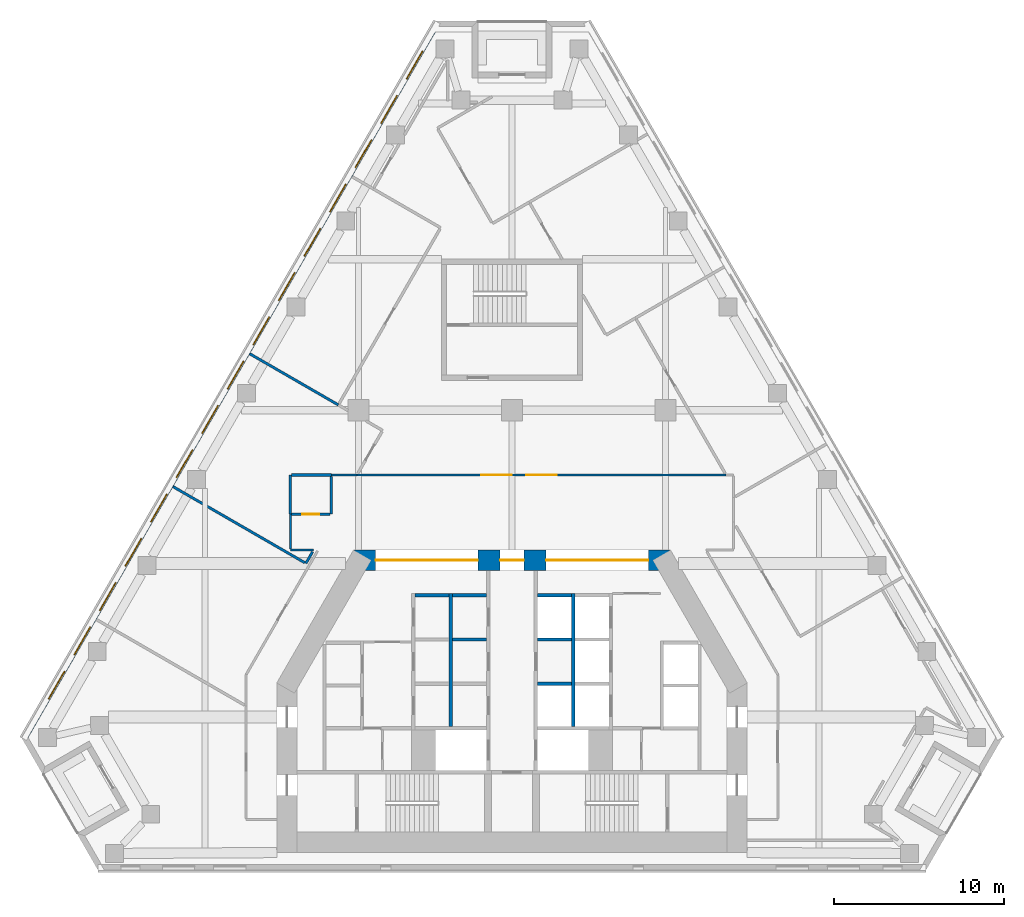
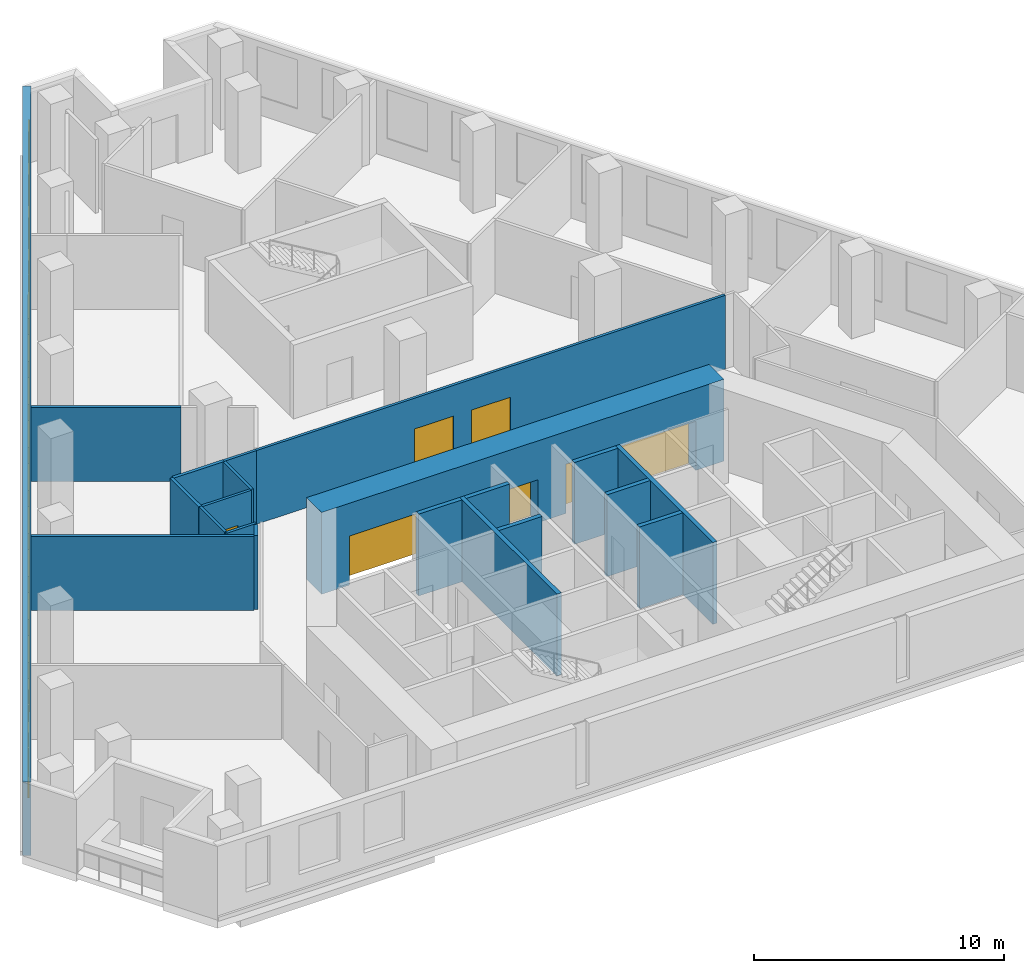
# One storey, part 4 of 8: 21 walls, 15 windows, 6 doors, 21 openings.
"""IFC4 building model written with IfcOpenShell, lengths in metres."""

from ifc_helpers import new_model, si_unit, direction, frame, frame_2d, origin, place, context, subcontext, project, spatial, rectangle, extrude, material, layer, layer_set, type_object, element, fill, save


model = new_model("IFC4")

# Units and contexts
model_context = context("Model", 3, precision=1e-05, world=origin(), true_north=direction((0.0, 1.0)))
body_context = subcontext(model_context, "Body", "Model", "MODEL_VIEW")
ifc_project = project(units=[si_unit("LENGTHUNIT", "METRE"), si_unit("AREAUNIT", "SQUARE_METRE"), si_unit("VOLUMEUNIT", "CUBIC_METRE"), si_unit("PLANEANGLEUNIT", "RADIAN"), si_unit("MASSUNIT", "GRAM", prefix="KILO")], contexts=[model_context])

# Site, building, storey
site_placement = place(None, origin())
site = spatial("IfcSite", under=ifc_project, at=site_placement, CompositionType="ELEMENT")
building_placement = place(site_placement, origin())
building = spatial("IfcBuilding", under=site, at=building_placement, Name="Fogline Exchange Tower", CompositionType="ELEMENT")
storey_placement = place(building_placement, frame((0.0, 0.0, 162.89990234375)))
storey = spatial("IfcBuildingStorey", under=building, at=storey_placement, Name="L36", CompositionType="ELEMENT", Elevation=162.89990234375)

# Walls
ifc_material_1 = material(Name="Concrete C40", Category="concrete")
ifc_layer_1 = layer(ifc_material_1, 0.199951171875)
ifc_layer_set_1 = layer_set([ifc_layer_1], Name="CW20")
wall_type_1 = type_object("IfcWallType", Name="CW20", PredefinedType="SOLIDWALL", material=ifc_layer_set_1)
wall_1_placement = place(storey_placement, frame((-3.5, 13.550048828125, 0.0), z_axis=(0.0, 0.0, 1.0), x_axis=(1.0, 0.0, 0.0)))
element("IfcWall", 1, at=wall_1_placement, inside=storey, type_object=wall_type_1, Name="Service room wall", PredefinedType="SOLIDWALL", context=body_context, shape_type="SweptSolid", body=[
    extrude(rectangle(XDim=2.0, YDim=0.199951171875, at=frame_2d((1.0, 0.0))), origin(), (0.0, 0.0, 1.0), 3.60009765625),
])
ifc_layer_2 = layer(ifc_material_1, 0.199951171875)
ifc_layer_set_2 = layer_set([ifc_layer_2], Name="CW20S")
wall_type_2 = type_object("IfcWallType", Name="CW20S", PredefinedType="SOLIDWALL", material=ifc_layer_set_2)
for number, where, z_axis, x_axis, name in (
    (2, (-3.60009765625, 8.449951171875, -0.39990234375), (0.0, 0.0, 1.0), (0.0, 1.0, 0.0), "Lift shaft wall"),
    (3, (3.60009765625, 8.449951171875, -0.39990234375), (0.0, 0.0, 1.0), (0.0, 1.0, 0.0), "Lift shaft wall"),
):
    element("IfcWall", number, at=place(storey_placement, frame(where, z_axis=z_axis, x_axis=x_axis)), inside=storey, type_object=wall_type_2, Name=name, PredefinedType="SOLIDWALL", context=body_context, shape_type="SweptSolid", body=[
        extrude(rectangle(XDim=7.800048828125, YDim=0.199951171875, at=frame_2d((3.89990234375, 0.0))), origin(), (0.0, 0.0, 1.0), 4.0),
    ])
for number, where, z_axis, x_axis, name in (
    (4, (-5.699951171875, 16.14990234375, -0.39990234375), (0.0, 0.0, 1.0), (1.0, 0.0, 0.0), "Lift shaft wall"),
    (5, (-3.5, 16.14990234375, -0.39990234375), (0.0, 0.0, 1.0), (1.0, 0.0, 0.0), "Lift shaft wall"),
    (6, (1.5, 10.949951171875, -0.39990234375), (0.0, 0.0, 1.0), (1.0, 0.0, 0.0), "Lift shaft wall"),
    (7, (1.5, 13.550048828125, -0.39990234375), (0.0, 0.0, 1.0), (1.0, 0.0, 0.0), "Lift shaft wall"),
    (8, (1.5, 16.14990234375, -0.39990234375), (0.0, 0.0, 1.0), (1.0, 0.0, 0.0), "Lift shaft wall"),
):
    element("IfcWall", number, at=place(storey_placement, frame(where, z_axis=z_axis, x_axis=x_axis)), inside=storey, type_object=wall_type_2, Name=name, PredefinedType="SOLIDWALL", context=body_context, shape_type="SweptSolid", body=[
        extrude(rectangle(XDim=2.0, YDim=0.199951171875, at=frame_2d((1.0, 0.0))), origin(), (0.0, 0.0, 1.0), 4.0),
    ])

# Wall, openings, windows
ifc_material_2 = material(Name="Brick masonry", Category="masonry")
ifc_layer_3 = layer(ifc_material_2, 0.340087890625)
ifc_layer_set_3 = layer_set([ifc_layer_3], Name="FW1")
wall_type_3 = type_object("IfcWallType", Name="FW1", PredefinedType="SOLIDWALL", material=ifc_layer_set_3)
wall_2_placement = place(storey_placement, frame((-4.352783203125, 49.756591796875, 0.0), z_axis=(0.0, 0.0, 1.0), x_axis=(-0.500001027829, -0.866024810367, 0.0)))
wall_2 = element("IfcWall", 9, at=wall_2_placement, inside=storey, type_object=wall_type_3, Name="Brick wall L36 W", PredefinedType="SOLIDWALL", context=body_context, shape_type="SweptSolid", body=[
    extrude(rectangle(XDim=48.55224609375, YDim=0.340087890625, at=frame_2d((24.276123046875, 0.0))), origin(), (0.0, 0.0, 1.0), 3.60009765625),
])
opening_1_placement = place(wall_2_placement, frame((1.9140625, 0.0, 0.89990234375)))
opening_1 = element("IfcOpeningElement", 10, at=opening_1_placement, cuts=wall_2, Name="Opening W1", PredefinedType="OPENING", context=body_context, shape_type="SweptSolid", body=[
    extrude(rectangle(XDim=1.885009765625, YDim=2.39990234375, at=frame_2d((0.9423828125, 1.199951171875))), frame((0.0, 0.18017578125, 0.0), z_axis=(0.0, -1.0, 0.0), x_axis=(1.0, 0.0, 0.0)), (0.0, 0.0, 1.0), 0.360107421875),
])
opening_2_placement = place(wall_2_placement, frame((4.9140625, 0.0, 0.89990234375)))
opening_2 = element("IfcOpeningElement", 11, at=opening_2_placement, cuts=wall_2, Name="Opening W1", PredefinedType="OPENING", context=body_context, shape_type="SweptSolid", body=[
    extrude(rectangle(XDim=1.885009765625, YDim=2.39990234375, at=frame_2d((0.9423828125, 1.199951171875))), frame((0.0, 0.18017578125, 0.0), z_axis=(0.0, -1.0, 0.0), x_axis=(1.0, 0.0, 0.0)), (0.0, 0.0, 1.0), 0.360107421875),
])
opening_3_placement = place(wall_2_placement, frame((7.9140625, 0.0, 0.89990234375)))
opening_3 = element("IfcOpeningElement", 12, at=opening_3_placement, cuts=wall_2, Name="Opening W1", PredefinedType="OPENING", context=body_context, shape_type="SweptSolid", body=[
    extrude(rectangle(XDim=1.885009765625, YDim=2.39990234375, at=frame_2d((0.9423828125, 1.199951171875))), frame((0.0, 0.18017578125, 0.0), z_axis=(0.0, -1.0, 0.0), x_axis=(1.0, 0.0, 0.0)), (0.0, 0.0, 1.0), 0.360107421875),
])
opening_4_placement = place(wall_2_placement, frame((10.9140625, 0.0, 0.89990234375)))
opening_4 = element("IfcOpeningElement", 13, at=opening_4_placement, cuts=wall_2, Name="Opening W1", PredefinedType="OPENING", context=body_context, shape_type="SweptSolid", body=[
    extrude(rectangle(XDim=1.885009765625, YDim=2.39990234375, at=frame_2d((0.9423828125, 1.199951171875))), frame((0.0, 0.18017578125, 0.0), z_axis=(0.0, -1.0, 0.0), x_axis=(1.0, 0.0, 0.0)), (0.0, 0.0, 1.0), 0.360107421875),
])
opening_5_placement = place(wall_2_placement, frame((13.9140625, 0.0, 0.89990234375)))
opening_5 = element("IfcOpeningElement", 14, at=opening_5_placement, cuts=wall_2, Name="Opening W1", PredefinedType="OPENING", context=body_context, shape_type="SweptSolid", body=[
    extrude(rectangle(XDim=1.885009765625, YDim=2.39990234375, at=frame_2d((0.9423828125, 1.199951171875))), frame((0.0, 0.18017578125, 0.0), z_axis=(0.0, -1.0, 0.0), x_axis=(1.0, 0.0, 0.0)), (0.0, 0.0, 1.0), 0.360107421875),
])
opening_6_placement = place(wall_2_placement, frame((16.9140625, 0.0, 0.89990234375)))
opening_6 = element("IfcOpeningElement", 15, at=opening_6_placement, cuts=wall_2, Name="Opening W1", PredefinedType="OPENING", context=body_context, shape_type="SweptSolid", body=[
    extrude(rectangle(XDim=1.885009765625, YDim=2.39990234375, at=frame_2d((0.9423828125, 1.199951171875))), frame((0.0, 0.18017578125, 0.0), z_axis=(0.0, -1.0, 0.0), x_axis=(1.0, 0.0, 0.0)), (0.0, 0.0, 1.0), 0.360107421875),
])
opening_7_placement = place(wall_2_placement, frame((19.9140625, 0.0, 0.89990234375)))
opening_7 = element("IfcOpeningElement", 16, at=opening_7_placement, cuts=wall_2, Name="Opening W1", PredefinedType="OPENING", context=body_context, shape_type="SweptSolid", body=[
    extrude(rectangle(XDim=1.885009765625, YDim=2.39990234375, at=frame_2d((0.9423828125, 1.199951171875))), frame((0.0, 0.18017578125, 0.0), z_axis=(0.0, -1.0, 0.0), x_axis=(1.0, 0.0, 0.0)), (0.0, 0.0, 1.0), 0.360107421875),
])
opening_8_placement = place(wall_2_placement, frame((22.9140625, 0.0, 0.89990234375)))
opening_8 = element("IfcOpeningElement", 17, at=opening_8_placement, cuts=wall_2, Name="Opening W1", PredefinedType="OPENING", context=body_context, shape_type="SweptSolid", body=[
    extrude(rectangle(XDim=1.885009765625, YDim=2.39990234375, at=frame_2d((0.9423828125, 1.199951171875))), frame((0.0, 0.18017578125, 0.0), z_axis=(0.0, -1.0, 0.0), x_axis=(1.0, 0.0, 0.0)), (0.0, 0.0, 1.0), 0.360107421875),
])
opening_9_placement = place(wall_2_placement, frame((25.9140625, 0.0, 0.89990234375)))
opening_9 = element("IfcOpeningElement", 18, at=opening_9_placement, cuts=wall_2, Name="Opening W1", PredefinedType="OPENING", context=body_context, shape_type="SweptSolid", body=[
    extrude(rectangle(XDim=1.885009765625, YDim=2.39990234375, at=frame_2d((0.9423828125, 1.199951171875))), frame((0.0, 0.18017578125, 0.0), z_axis=(0.0, -1.0, 0.0), x_axis=(1.0, 0.0, 0.0)), (0.0, 0.0, 1.0), 0.360107421875),
])
opening_10_placement = place(wall_2_placement, frame((28.9140625, 0.0, 0.89990234375)))
opening_10 = element("IfcOpeningElement", 19, at=opening_10_placement, cuts=wall_2, Name="Opening W1", PredefinedType="OPENING", context=body_context, shape_type="SweptSolid", body=[
    extrude(rectangle(XDim=1.885009765625, YDim=2.39990234375, at=frame_2d((0.9423828125, 1.199951171875))), frame((0.0, 0.18017578125, 0.0), z_axis=(0.0, -1.0, 0.0), x_axis=(1.0, 0.0, 0.0)), (0.0, 0.0, 1.0), 0.360107421875),
])
opening_11_placement = place(wall_2_placement, frame((31.9140625, 0.0, 0.89990234375)))
opening_11 = element("IfcOpeningElement", 20, at=opening_11_placement, cuts=wall_2, Name="Opening W1", PredefinedType="OPENING", context=body_context, shape_type="SweptSolid", body=[
    extrude(rectangle(XDim=1.885009765625, YDim=2.39990234375, at=frame_2d((0.9423828125, 1.199951171875))), frame((0.0, 0.18017578125, 0.0), z_axis=(0.0, -1.0, 0.0), x_axis=(1.0, 0.0, 0.0)), (0.0, 0.0, 1.0), 0.360107421875),
])
opening_12_placement = place(wall_2_placement, frame((34.9140625, 0.0, 0.89990234375)))
opening_12 = element("IfcOpeningElement", 21, at=opening_12_placement, cuts=wall_2, Name="Opening W1", PredefinedType="OPENING", context=body_context, shape_type="SweptSolid", body=[
    extrude(rectangle(XDim=1.885009765625, YDim=2.39990234375, at=frame_2d((0.9423828125, 1.199951171875))), frame((0.0, 0.18017578125, 0.0), z_axis=(0.0, -1.0, 0.0), x_axis=(1.0, 0.0, 0.0)), (0.0, 0.0, 1.0), 0.360107421875),
])
opening_13_placement = place(wall_2_placement, frame((37.9140625, 0.0, 0.89990234375)))
opening_13 = element("IfcOpeningElement", 22, at=opening_13_placement, cuts=wall_2, Name="Opening W1", PredefinedType="OPENING", context=body_context, shape_type="SweptSolid", body=[
    extrude(rectangle(XDim=1.885009765625, YDim=2.39990234375, at=frame_2d((0.9423828125, 1.199951171875))), frame((0.0, 0.18017578125, 0.0), z_axis=(0.0, -1.0, 0.0), x_axis=(1.0, 0.0, 0.0)), (0.0, 0.0, 1.0), 0.360107421875),
])
opening_14_placement = place(wall_2_placement, frame((40.9140625, 0.0, 0.89990234375)))
opening_14 = element("IfcOpeningElement", 23, at=opening_14_placement, cuts=wall_2, Name="Opening W1", PredefinedType="OPENING", context=body_context, shape_type="SweptSolid", body=[
    extrude(rectangle(XDim=1.885009765625, YDim=2.39990234375, at=frame_2d((0.9423828125, 1.199951171875))), frame((0.0, 0.18017578125, 0.0), z_axis=(0.0, -1.0, 0.0), x_axis=(1.0, 0.0, 0.0)), (0.0, 0.0, 1.0), 0.360107421875),
])
opening_15_placement = place(wall_2_placement, frame((43.9140625, 0.0, 0.89990234375)))
opening_15 = element("IfcOpeningElement", 24, at=opening_15_placement, cuts=wall_2, Name="Opening W1", PredefinedType="OPENING", context=body_context, shape_type="SweptSolid", body=[
    extrude(rectangle(XDim=1.885009765625, YDim=2.39990234375, at=frame_2d((0.9423828125, 1.199951171875))), frame((0.0, 0.18017578125, 0.0), z_axis=(0.0, -1.0, 0.0), x_axis=(1.0, 0.0, 0.0)), (0.0, 0.0, 1.0), 0.360107421875),
])
ifc_material_3 = material(Name="Aluminium and glass", Category="aluminium")
window_type = type_object("IfcWindowType", Name="W1", PartitioningType="SINGLE_PANEL", PredefinedType="WINDOW", material=ifc_material_3)
window_1_placement = place(opening_1_placement, origin())
window_1 = element("IfcWindow", 25, at=window_1_placement, inside=storey, type_object=window_type, Name="W1 W1", OverallHeight=2.39990234375, OverallWidth=1.885009765625, PartitioningType="SINGLE_PANEL", PredefinedType="WINDOW", context=body_context, shape_type="SweptSolid", body=[
    extrude(rectangle(XDim=1.885009765625, YDim=2.39990234375, at=frame_2d((0.9423828125, 1.199951171875))), frame((0.0, 0.110107421875, 0.0), z_axis=(0.0, -1.0, 0.0), x_axis=(1.0, 0.0, 0.0)), (0.0, 0.0, 1.0), 0.06005859375),
])
fill(opening_1, window_1)
window_2_placement = place(opening_2_placement, origin())
window_2 = element("IfcWindow", 26, at=window_2_placement, inside=storey, type_object=window_type, Name="W1 W1", OverallHeight=2.39990234375, OverallWidth=1.885009765625, PartitioningType="SINGLE_PANEL", PredefinedType="WINDOW", context=body_context, shape_type="SweptSolid", body=[
    extrude(rectangle(XDim=1.885009765625, YDim=2.39990234375, at=frame_2d((0.9423828125, 1.199951171875))), frame((0.0, 0.110107421875, 0.0), z_axis=(0.0, -1.0, 0.0), x_axis=(1.0, 0.0, 0.0)), (0.0, 0.0, 1.0), 0.06005859375),
])
fill(opening_2, window_2)
window_3_placement = place(opening_3_placement, origin())
window_3 = element("IfcWindow", 27, at=window_3_placement, inside=storey, type_object=window_type, Name="W1 W1", OverallHeight=2.39990234375, OverallWidth=1.885009765625, PartitioningType="SINGLE_PANEL", PredefinedType="WINDOW", context=body_context, shape_type="SweptSolid", body=[
    extrude(rectangle(XDim=1.885009765625, YDim=2.39990234375, at=frame_2d((0.9423828125, 1.199951171875))), frame((0.0, 0.110107421875, 0.0), z_axis=(0.0, -1.0, 0.0), x_axis=(1.0, 0.0, 0.0)), (0.0, 0.0, 1.0), 0.06005859375),
])
fill(opening_3, window_3)
window_4_placement = place(opening_4_placement, origin())
window_4 = element("IfcWindow", 28, at=window_4_placement, inside=storey, type_object=window_type, Name="W1 W1", OverallHeight=2.39990234375, OverallWidth=1.885009765625, PartitioningType="SINGLE_PANEL", PredefinedType="WINDOW", context=body_context, shape_type="SweptSolid", body=[
    extrude(rectangle(XDim=1.885009765625, YDim=2.39990234375, at=frame_2d((0.9423828125, 1.199951171875))), frame((0.0, 0.110107421875, 0.0), z_axis=(0.0, -1.0, 0.0), x_axis=(1.0, 0.0, 0.0)), (0.0, 0.0, 1.0), 0.06005859375),
])
fill(opening_4, window_4)
window_5_placement = place(opening_5_placement, origin())
window_5 = element("IfcWindow", 29, at=window_5_placement, inside=storey, type_object=window_type, Name="W1 W1", OverallHeight=2.39990234375, OverallWidth=1.885009765625, PartitioningType="SINGLE_PANEL", PredefinedType="WINDOW", context=body_context, shape_type="SweptSolid", body=[
    extrude(rectangle(XDim=1.885009765625, YDim=2.39990234375, at=frame_2d((0.9423828125, 1.199951171875))), frame((0.0, 0.110107421875, 0.0), z_axis=(0.0, -1.0, 0.0), x_axis=(1.0, 0.0, 0.0)), (0.0, 0.0, 1.0), 0.06005859375),
])
fill(opening_5, window_5)
window_6_placement = place(opening_6_placement, origin())
window_6 = element("IfcWindow", 30, at=window_6_placement, inside=storey, type_object=window_type, Name="W1 W1", OverallHeight=2.39990234375, OverallWidth=1.885009765625, PartitioningType="SINGLE_PANEL", PredefinedType="WINDOW", context=body_context, shape_type="SweptSolid", body=[
    extrude(rectangle(XDim=1.885009765625, YDim=2.39990234375, at=frame_2d((0.9423828125, 1.199951171875))), frame((0.0, 0.110107421875, 0.0), z_axis=(0.0, -1.0, 0.0), x_axis=(1.0, 0.0, 0.0)), (0.0, 0.0, 1.0), 0.06005859375),
])
fill(opening_6, window_6)
window_7_placement = place(opening_7_placement, origin())
window_7 = element("IfcWindow", 31, at=window_7_placement, inside=storey, type_object=window_type, Name="W1 W1", OverallHeight=2.39990234375, OverallWidth=1.885009765625, PartitioningType="SINGLE_PANEL", PredefinedType="WINDOW", context=body_context, shape_type="SweptSolid", body=[
    extrude(rectangle(XDim=1.885009765625, YDim=2.39990234375, at=frame_2d((0.9423828125, 1.199951171875))), frame((0.0, 0.110107421875, 0.0), z_axis=(0.0, -1.0, 0.0), x_axis=(1.0, 0.0, 0.0)), (0.0, 0.0, 1.0), 0.06005859375),
])
fill(opening_7, window_7)
window_8_placement = place(opening_8_placement, origin())
window_8 = element("IfcWindow", 32, at=window_8_placement, inside=storey, type_object=window_type, Name="W1 W1", OverallHeight=2.39990234375, OverallWidth=1.885009765625, PartitioningType="SINGLE_PANEL", PredefinedType="WINDOW", context=body_context, shape_type="SweptSolid", body=[
    extrude(rectangle(XDim=1.885009765625, YDim=2.39990234375, at=frame_2d((0.9423828125, 1.199951171875))), frame((0.0, 0.110107421875, 0.0), z_axis=(0.0, -1.0, 0.0), x_axis=(1.0, 0.0, 0.0)), (0.0, 0.0, 1.0), 0.06005859375),
])
fill(opening_8, window_8)
window_9_placement = place(opening_9_placement, origin())
window_9 = element("IfcWindow", 33, at=window_9_placement, inside=storey, type_object=window_type, Name="W1 W1", OverallHeight=2.39990234375, OverallWidth=1.885009765625, PartitioningType="SINGLE_PANEL", PredefinedType="WINDOW", context=body_context, shape_type="SweptSolid", body=[
    extrude(rectangle(XDim=1.885009765625, YDim=2.39990234375, at=frame_2d((0.9423828125, 1.199951171875))), frame((0.0, 0.110107421875, 0.0), z_axis=(0.0, -1.0, 0.0), x_axis=(1.0, 0.0, 0.0)), (0.0, 0.0, 1.0), 0.06005859375),
])
fill(opening_9, window_9)
window_10_placement = place(opening_10_placement, origin())
window_10 = element("IfcWindow", 34, at=window_10_placement, inside=storey, type_object=window_type, Name="W1 W1", OverallHeight=2.39990234375, OverallWidth=1.885009765625, PartitioningType="SINGLE_PANEL", PredefinedType="WINDOW", context=body_context, shape_type="SweptSolid", body=[
    extrude(rectangle(XDim=1.885009765625, YDim=2.39990234375, at=frame_2d((0.9423828125, 1.199951171875))), frame((0.0, 0.110107421875, 0.0), z_axis=(0.0, -1.0, 0.0), x_axis=(1.0, 0.0, 0.0)), (0.0, 0.0, 1.0), 0.06005859375),
])
fill(opening_10, window_10)
window_11_placement = place(opening_11_placement, origin())
window_11 = element("IfcWindow", 35, at=window_11_placement, inside=storey, type_object=window_type, Name="W1 W1", OverallHeight=2.39990234375, OverallWidth=1.885009765625, PartitioningType="SINGLE_PANEL", PredefinedType="WINDOW", context=body_context, shape_type="SweptSolid", body=[
    extrude(rectangle(XDim=1.885009765625, YDim=2.39990234375, at=frame_2d((0.9423828125, 1.199951171875))), frame((0.0, 0.110107421875, 0.0), z_axis=(0.0, -1.0, 0.0), x_axis=(1.0, 0.0, 0.0)), (0.0, 0.0, 1.0), 0.06005859375),
])
fill(opening_11, window_11)
window_12_placement = place(opening_12_placement, origin())
window_12 = element("IfcWindow", 36, at=window_12_placement, inside=storey, type_object=window_type, Name="W1 W1", OverallHeight=2.39990234375, OverallWidth=1.885009765625, PartitioningType="SINGLE_PANEL", PredefinedType="WINDOW", context=body_context, shape_type="SweptSolid", body=[
    extrude(rectangle(XDim=1.885009765625, YDim=2.39990234375, at=frame_2d((0.9423828125, 1.199951171875))), frame((0.0, 0.110107421875, 0.0), z_axis=(0.0, -1.0, 0.0), x_axis=(1.0, 0.0, 0.0)), (0.0, 0.0, 1.0), 0.06005859375),
])
fill(opening_12, window_12)
window_13_placement = place(opening_13_placement, origin())
window_13 = element("IfcWindow", 37, at=window_13_placement, inside=storey, type_object=window_type, Name="W1 W1", OverallHeight=2.39990234375, OverallWidth=1.885009765625, PartitioningType="SINGLE_PANEL", PredefinedType="WINDOW", context=body_context, shape_type="SweptSolid", body=[
    extrude(rectangle(XDim=1.885009765625, YDim=2.39990234375, at=frame_2d((0.9423828125, 1.199951171875))), frame((0.0, 0.110107421875, 0.0), z_axis=(0.0, -1.0, 0.0), x_axis=(1.0, 0.0, 0.0)), (0.0, 0.0, 1.0), 0.06005859375),
])
fill(opening_13, window_13)
window_14_placement = place(opening_14_placement, origin())
window_14 = element("IfcWindow", 38, at=window_14_placement, inside=storey, type_object=window_type, Name="W1 W1", OverallHeight=2.39990234375, OverallWidth=1.885009765625, PartitioningType="SINGLE_PANEL", PredefinedType="WINDOW", context=body_context, shape_type="SweptSolid", body=[
    extrude(rectangle(XDim=1.885009765625, YDim=2.39990234375, at=frame_2d((0.9423828125, 1.199951171875))), frame((0.0, 0.110107421875, 0.0), z_axis=(0.0, -1.0, 0.0), x_axis=(1.0, 0.0, 0.0)), (0.0, 0.0, 1.0), 0.06005859375),
])
fill(opening_14, window_14)
window_15_placement = place(opening_15_placement, origin())
window_15 = element("IfcWindow", 39, at=window_15_placement, inside=storey, type_object=window_type, Name="W1 W1", OverallHeight=2.39990234375, OverallWidth=1.885009765625, PartitioningType="SINGLE_PANEL", PredefinedType="WINDOW", context=body_context, shape_type="SweptSolid", body=[
    extrude(rectangle(XDim=1.885009765625, YDim=2.39990234375, at=frame_2d((0.9423828125, 1.199951171875))), frame((0.0, 0.110107421875, 0.0), z_axis=(0.0, -1.0, 0.0), x_axis=(1.0, 0.0, 0.0)), (0.0, 0.0, 1.0), 0.06005859375),
])
fill(opening_15, window_15)

# Wall, openings, doors
ifc_material_4 = material(Name="Plasterboard corridor partition with mineral wool, 2 layers each side")
ifc_layer_4 = layer(ifc_material_4, 0.125)
ifc_layer_set_4 = layer_set([ifc_layer_4], Name="PW2")
wall_type_4 = type_object("IfcWallType", Name="PW2", PredefinedType="PARTITIONING", material=ifc_layer_set_4)
wall_3_placement = place(storey_placement, frame((-9.0966796875, 23.199951171875, 0.0), z_axis=(0.0, 0.0, 1.0), x_axis=(1.0, 0.0, 0.0)))
wall_3 = element("IfcWall", 40, at=wall_3_placement, inside=storey, type_object=wall_type_4, Name="wall-L36-W007", PredefinedType="PARTITIONING", context=body_context, shape_type="SweptSolid", body=[
    extrude(rectangle(XDim=21.657470703125, YDim=0.125, at=frame_2d((10.82861328125, 0.0))), origin(), (0.0, 0.0, 1.0), 3.60009765625),
])
opening_16_placement = place(wall_3_placement, frame((7.2890625, 0.0, 0.0)))
opening_16 = element("IfcOpeningElement", 41, at=opening_16_placement, cuts=wall_3, Name="Opening T11-D002", PredefinedType="OPENING", context=body_context, shape_type="SweptSolid", body=[
    extrude(rectangle(XDim=1.800048828125, YDim=2.10009765625, at=frame_2d((0.89990234375, 1.050048828125))), frame((0.0, 0.072509765625, 0.0), z_axis=(0.0, -1.0, 0.0), x_axis=(1.0, 0.0, 0.0)), (0.0, 0.0, 1.0), 0.14501953125),
])
opening_17_placement = place(wall_3_placement, frame((9.9287109375, 0.0, 0.0)))
opening_17 = element("IfcOpeningElement", 42, at=opening_17_placement, cuts=wall_3, Name="Opening T11-D003", PredefinedType="OPENING", context=body_context, shape_type="SweptSolid", body=[
    extrude(rectangle(XDim=1.800048828125, YDim=2.10009765625, at=frame_2d((0.89990234375, 1.050048828125))), frame((0.0, 0.072509765625, 0.0), z_axis=(0.0, -1.0, 0.0), x_axis=(1.0, 0.0, 0.0)), (0.0, 0.0, 1.0), 0.14501953125),
])
ifc_material_5 = material(Name="Fire-rated timber door leaves with steel frame", Category="steel")
door_type_1 = type_object("IfcDoorType", Name="D4", OperationType="DOUBLE_DOOR_SINGLE_SWING", PredefinedType="DOOR", material=ifc_material_5)
door_1_placement = place(opening_16_placement, frame((1.800048828125, 0.0, 0.0), z_axis=(0.0, 0.0, 1.0), x_axis=(-1.0, 0.0, 0.0)))
door_1 = element("IfcDoor", 43, at=door_1_placement, inside=storey, type_object=door_type_1, Name="door-L36-D002", OperationType="DOUBLE_DOOR_SINGLE_SWING", OverallHeight=2.10009765625, OverallWidth=1.800048828125, PredefinedType="DOOR", context=body_context, shape_type="SweptSolid", body=[
    extrude(rectangle(XDim=1.800048828125, YDim=2.10009765625, at=frame_2d((0.89990234375, 1.050048828125))), frame((0.0, 0.02490234375, 0.0), z_axis=(0.0, -1.0, 0.0), x_axis=(1.0, 0.0, 0.0)), (0.0, 0.0, 1.0), 0.050048828125),
])
fill(opening_16, door_1)
door_2_placement = place(opening_17_placement, frame((1.800048828125, 0.0, 0.0), z_axis=(0.0, 0.0, 1.0), x_axis=(-1.0, 0.0, 0.0)))
door_2 = element("IfcDoor", 44, at=door_2_placement, inside=storey, type_object=door_type_1, Name="door-L36-D003", OperationType="DOUBLE_DOOR_SINGLE_SWING", OverallHeight=2.10009765625, OverallWidth=1.800048828125, PredefinedType="DOOR", context=body_context, shape_type="SweptSolid", body=[
    extrude(rectangle(XDim=1.800048828125, YDim=2.10009765625, at=frame_2d((0.89990234375, 1.050048828125))), frame((0.0, 0.02490234375, 0.0), z_axis=(0.0, -1.0, 0.0), x_axis=(1.0, 0.0, 0.0)), (0.0, 0.0, 1.0), 0.050048828125),
])
fill(opening_17, door_2)

# Walls
wall_4_placement = place(storey_placement, frame((-11.636962890625, 18.800048828125, 0.0), z_axis=(0.0, 0.0, 1.0), x_axis=(-1.0, 0.0, 0.0)))
element("IfcWall", 45, at=wall_4_placement, inside=storey, type_object=wall_type_4, Name="wall-L36-W008", PredefinedType="PARTITIONING", context=body_context, shape_type="SweptSolid", body=[
    extrude(rectangle(XDim=1.363037109375, YDim=0.125, at=frame_2d((0.681640625, 0.0))), origin(), (0.0, 0.0, 1.0), 3.60009765625),
])
wall_5_placement = place(storey_placement, frame((-13.0, 18.862548828125, 0.0), z_axis=(0.0, 0.0, 1.0), x_axis=(0.0, 1.0, 0.0)))
element("IfcWall", 46, at=wall_5_placement, inside=storey, type_object=wall_type_4, Name="wall-L36-W009", PredefinedType="PARTITIONING", context=body_context, shape_type="SweptSolid", body=[
    extrude(rectangle(XDim=2.037353515625, YDim=0.125, at=frame_2d((1.0185546875, 0.0))), origin(), (0.0, 0.0, 1.0), 3.60009765625),
])
wall_6_placement = place(storey_placement, frame((-10.60009765625, 23.199951171875, 0.0), z_axis=(0.0, 0.0, 1.0), x_axis=(1.0, 0.0, 0.0)))
element("IfcWall", 47, at=wall_6_placement, inside=storey, type_object=wall_type_4, Name="wall-L36-W010", PredefinedType="PARTITIONING", context=body_context, shape_type="SweptSolid", body=[
    extrude(rectangle(XDim=1.50341796875, YDim=0.125, at=frame_2d((0.751708984375, 0.0))), origin(), (0.0, 0.0, 1.0), 3.60009765625),
])

# Wall, opening, door
wall_7_placement = place(storey_placement, frame((-12.925048828125, 20.89990234375, 0.0), z_axis=(0.0, 0.0, 1.0), x_axis=(1.0, 0.0, 0.0)))
wall_7 = element("IfcWall", 48, at=wall_7_placement, inside=storey, type_object=wall_type_4, Name="wall-L36-W011", PredefinedType="PARTITIONING", context=body_context, shape_type="SweptSolid", body=[
    extrude(rectangle(XDim=2.262451171875, YDim=0.125, at=frame_2d((1.13134765625, 0.0))), origin(), (0.0, 0.0, 1.0), 3.60009765625),
])
opening_18_placement = place(wall_7_placement, frame((0.63134765625, 0.0, 0.0)))
opening_18 = element("IfcOpeningElement", 49, at=opening_18_placement, cuts=wall_7, Name="Opening T11-D004", PredefinedType="OPENING", context=body_context, shape_type="SweptSolid", body=[
    extrude(rectangle(XDim=1.0, YDim=2.10009765625, at=frame_2d((0.5, 1.050048828125))), frame((0.0, 0.072509765625, 0.0), z_axis=(0.0, -1.0, 0.0), x_axis=(1.0, 0.0, 0.0)), (0.0, 0.0, 1.0), 0.14501953125),
])
ifc_material_6 = material(Name="Fire-rated timber door leaf with steel frame", Category="steel")
door_type_2 = type_object("IfcDoorType", Name="D3", OperationType="SINGLE_SWING_LEFT", PredefinedType="DOOR", material=ifc_material_6)
door_3_placement = place(opening_18_placement, origin())
door_3 = element("IfcDoor", 50, at=door_3_placement, inside=storey, type_object=door_type_2, Name="door-L36-D004", OperationType="SINGLE_SWING_LEFT", OverallHeight=2.10009765625, OverallWidth=1.0, PredefinedType="DOOR", context=body_context, shape_type="SweptSolid", body=[
    extrude(rectangle(XDim=1.0, YDim=2.10009765625, at=frame_2d((0.5, 1.050048828125))), frame((0.0, 0.02490234375, 0.0), z_axis=(0.0, -1.0, 0.0), x_axis=(1.0, 0.0, 0.0)), (0.0, 0.0, 1.0), 0.050048828125),
])
fill(opening_18, door_3)

# Walls
wall_8_placement = place(storey_placement, frame((-10.60009765625, 20.89990234375, 0.0), z_axis=(0.0, 0.0, 1.0), x_axis=(0.0, 1.0, 0.0)))
element("IfcWall", 51, at=wall_8_placement, inside=storey, type_object=wall_type_4, Name="wall-L36-W012", PredefinedType="PARTITIONING", context=body_context, shape_type="SweptSolid", body=[
    extrude(rectangle(XDim=2.22509765625, YDim=0.125, at=frame_2d((1.112548828125, 0.0))), origin(), (0.0, 0.0, 1.0), 3.60009765625),
])
ifc_material_7 = material(Name="Plasterboard demising partition with mineral wool and acoustic board")
ifc_layer_5 = layer(ifc_material_7, 0.14990234375)
ifc_layer_set_5 = layer_set([ifc_layer_5], Name="PW3")
wall_type_5 = type_object("IfcWallType", Name="PW3", PredefinedType="PARTITIONING", material=ifc_layer_set_5)
wall_9_placement = place(storey_placement, frame((-10.187744140625, 27.310302734375, 0.0), z_axis=(0.0, 0.0, 1.0), x_axis=(-0.866020924479, 0.500007758305, 0.0)))
element("IfcWall", 52, at=wall_9_placement, inside=storey, type_object=wall_type_5, Name="wall-L36-W044", PredefinedType="PARTITIONING", context=body_context, shape_type="SweptSolid", body=[
    extrude(rectangle(XDim=6.0, YDim=0.14990234375, at=frame_2d((3.0, 0.0))), origin(), (0.0, 0.0, 1.0), 3.60009765625),
])
wall_10_placement = place(storey_placement, frame((-10.60009765625, 23.199951171875, 0.0), z_axis=(0.0, 0.0, 1.0), x_axis=(-1.0, 0.0, 0.0)))
element("IfcWall", 53, at=wall_10_placement, inside=storey, type_object=wall_type_5, Name="wall-L36-W045", PredefinedType="PARTITIONING", context=body_context, shape_type="SweptSolid", body=[
    extrude(rectangle(XDim=2.324951171875, YDim=0.14990234375, at=frame_2d((1.16259765625, 0.0))), origin(), (0.0, 0.0, 1.0), 3.60009765625),
])
wall_11_placement = place(storey_placement, frame((-13.0, 23.199951171875, 0.0), z_axis=(0.0, 0.0, 1.0), x_axis=(0.0, -1.0, 0.0)))
element("IfcWall", 54, at=wall_11_placement, inside=storey, type_object=wall_type_5, Name="wall-L36-W046", PredefinedType="PARTITIONING", context=body_context, shape_type="SweptSolid", body=[
    extrude(rectangle(XDim=2.300048828125, YDim=0.14990234375, at=frame_2d((1.14990234375, 0.0))), origin(), (0.0, 0.0, 1.0), 3.60009765625),
])
wall_12_placement = place(storey_placement, frame((-11.695068359375, 18.69970703125, 0.0), z_axis=(0.0, 0.0, 1.0), x_axis=(-0.499865263774, -0.866103179807, 0.0)))
element("IfcWall", 55, at=wall_12_placement, inside=storey, type_object=wall_type_5, Name="wall-L36-W047", PredefinedType="PARTITIONING", context=body_context, shape_type="SweptSolid", body=[
    extrude(rectangle(XDim=0.789306640625, YDim=0.14990234375, at=frame_2d((0.39453125, 0.0))), origin(), (0.0, 0.0, 1.0), 3.60009765625),
])
wall_13_placement = place(storey_placement, frame((-12.154541015625, 18.053466796875, 0.0), z_axis=(0.0, 0.0, 1.0), x_axis=(-0.866017493347, 0.500013701029, 0.0)))
element("IfcWall", 56, at=wall_13_placement, inside=storey, type_object=wall_type_5, Name="wall-L36-W048", PredefinedType="PARTITIONING", context=body_context, shape_type="SweptSolid", body=[
    extrude(rectangle(XDim=8.925048828125, YDim=0.14990234375, at=frame_2d((4.46240234375, 0.0))), origin(), (0.0, 0.0, 1.0), 3.60009765625),
])

# Wall, openings, doors
ifc_material_8 = material(Name="Concrete C60", Category="concrete")
ifc_layer_6 = layer(ifc_material_8, 1.199951171875)
ifc_layer_set_6 = layer_set([ifc_layer_6], Name="SW02")
wall_type_6 = type_object("IfcWallType", Name="SW02", PredefinedType="SHEAR", material=ifc_layer_set_6)
wall_14_placement = place(storey_placement, frame((9.296142578125, 18.199951171875, 0.0), z_axis=(0.0, 0.0, 1.0), x_axis=(-1.0, 0.0, 0.0)))
wall_14 = element("IfcWall", 57, at=wall_14_placement, inside=storey, type_object=wall_type_6, Name="L36-W904", PredefinedType="SHEAR", context=body_context, shape_type="SweptSolid", body=[
    extrude(rectangle(XDim=18.59228515625, YDim=1.199951171875, at=frame_2d((9.296142578125, 0.0))), origin(), (0.0, 0.0, 1.0), 4.0),
])
opening_19_placement = place(wall_14_placement, frame((8.59619140625, 0.0, 0.0)))
opening_19 = element("IfcOpeningElement", 58, at=opening_19_placement, cuts=wall_14, Name="Opening T11-C023", PredefinedType="OPENING", context=body_context, shape_type="SweptSolid", body=[
    extrude(rectangle(XDim=1.39990234375, YDim=2.10009765625, at=frame_2d((0.699951171875, 1.050048828125))), frame((0.0, 0.60986328125, 0.0), z_axis=(0.0, -1.0, 0.0), x_axis=(1.0, 0.0, 0.0)), (0.0, 0.0, 1.0), 1.219970703125),
])
opening_20_placement = place(wall_14_placement, frame((11.296142578125, 0.0, 0.0)))
opening_20 = element("IfcOpeningElement", 59, at=opening_20_placement, cuts=wall_14, Name="Opening T11-C024", PredefinedType="OPENING", context=body_context, shape_type="SweptSolid", body=[
    extrude(rectangle(XDim=6.0, YDim=2.39990234375, at=frame_2d((3.0, 1.199951171875))), frame((0.0, 0.60986328125, 0.0), z_axis=(0.0, -1.0, 0.0), x_axis=(1.0, 0.0, 0.0)), (0.0, 0.0, 1.0), 1.219970703125),
])
opening_21_placement = place(wall_14_placement, frame((1.296142578125, 0.0, 0.0)))
opening_21 = element("IfcOpeningElement", 60, at=opening_21_placement, cuts=wall_14, Name="Opening T11-C025", PredefinedType="OPENING", context=body_context, shape_type="SweptSolid", body=[
    extrude(rectangle(XDim=6.0, YDim=2.39990234375, at=frame_2d((3.0, 1.199951171875))), frame((0.0, 0.60986328125, 0.0), z_axis=(0.0, -1.0, 0.0), x_axis=(1.0, 0.0, 0.0)), (0.0, 0.0, 1.0), 1.219970703125),
])
ifc_material_9 = material(Name="Steel and timber fire door", Category="steel")
door_type_3 = type_object("IfcDoorType", Name="D-LB1", OperationType="DOUBLE_DOOR_SINGLE_SWING", PredefinedType="DOOR", material=ifc_material_9)
door_4_placement = place(opening_19_placement, origin())
door_4 = element("IfcDoor", 61, at=door_4_placement, inside=storey, type_object=door_type_3, Name="Protected lobby door", OperationType="DOUBLE_DOOR_SINGLE_SWING", OverallHeight=2.10009765625, OverallWidth=1.39990234375, PredefinedType="DOOR", context=body_context, shape_type="SweptSolid", body=[
    extrude(rectangle(XDim=1.39990234375, YDim=2.10009765625, at=frame_2d((0.699951171875, 1.050048828125))), frame((0.0, 0.02490234375, 0.0), z_axis=(0.0, -1.0, 0.0), x_axis=(1.0, 0.0, 0.0)), (0.0, 0.0, 1.0), 0.050048828125),
])
fill(opening_19, door_4)
door_type_4 = type_object("IfcDoorType", Name="D-LE1", OperationType="DOUBLE_DOOR_SLIDING", PredefinedType="DOOR", material=ifc_material_9)
door_5_placement = place(opening_20_placement, origin())
door_5 = element("IfcDoor", 62, at=door_5_placement, inside=storey, type_object=door_type_4, Name="Lift lobby entrance west", OperationType="DOUBLE_DOOR_SLIDING", OverallHeight=2.39990234375, OverallWidth=6.0, PredefinedType="DOOR", context=body_context, shape_type="SweptSolid", body=[
    extrude(rectangle(XDim=6.0, YDim=2.39990234375, at=frame_2d((3.0, 1.199951171875))), frame((0.0, 0.02490234375, 0.0), z_axis=(0.0, -1.0, 0.0), x_axis=(1.0, 0.0, 0.0)), (0.0, 0.0, 1.0), 0.050048828125),
])
fill(opening_20, door_5)
door_6_placement = place(opening_21_placement, origin())
door_6 = element("IfcDoor", 63, at=door_6_placement, inside=storey, type_object=door_type_4, Name="Lift lobby entrance east", OperationType="DOUBLE_DOOR_SLIDING", OverallHeight=2.39990234375, OverallWidth=6.0, PredefinedType="DOOR", context=body_context, shape_type="SweptSolid", body=[
    extrude(rectangle(XDim=6.0, YDim=2.39990234375, at=frame_2d((3.0, 1.199951171875))), frame((0.0, 0.02490234375, 0.0), z_axis=(0.0, -1.0, 0.0), x_axis=(1.0, 0.0, 0.0)), (0.0, 0.0, 1.0), 0.050048828125),
])
fill(opening_21, door_6)

save(model, "model.ifc")
